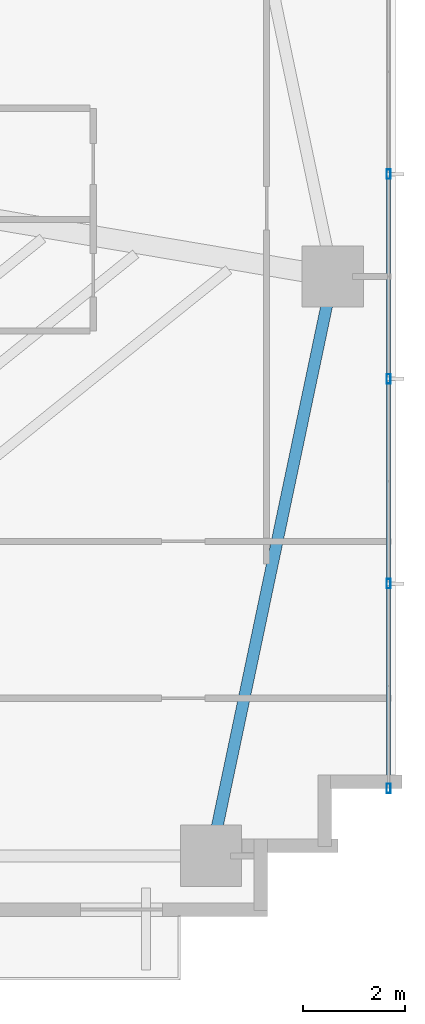
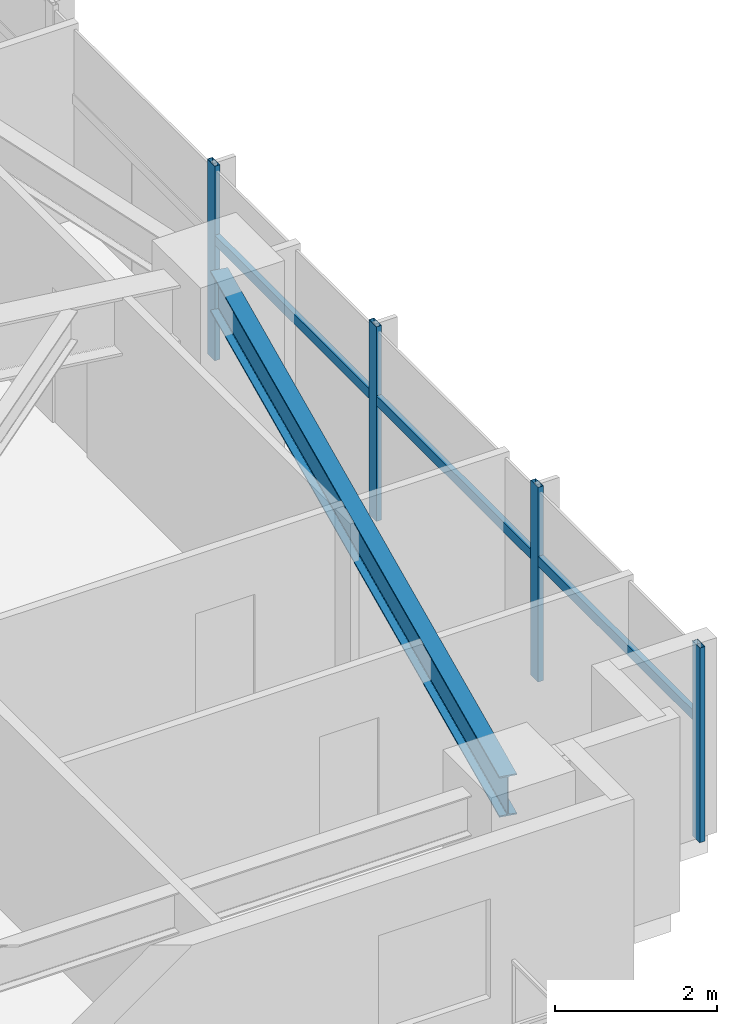
# One storey, part 14 of 25: 7 members, 1 beam, 1 element without a shape of its own.
"""IFC4 building model written with IfcOpenShell, lengths in metres."""

from ifc_helpers import new_model, si_unit, direction, frame, origin, origin_2d, place, context, subcontext, project, spatial, hollow_rectangle, i_section, extrude, source, transform, mapped, material, material_profile, profile_set, type_object, type_shapes, element, aggregate, save


model = new_model("IFC4")

# Units and contexts
model_context = context("Model", 3, precision=1e-05, world=origin(), true_north=direction((0.0, 1.0)))
body_context = subcontext(model_context, "Body", "Model", "MODEL_VIEW")
ifc_project = project(units=[si_unit("LENGTHUNIT", "METRE"), si_unit("AREAUNIT", "SQUARE_METRE"), si_unit("VOLUMEUNIT", "CUBIC_METRE"), si_unit("PLANEANGLEUNIT", "RADIAN"), si_unit("MASSUNIT", "GRAM", prefix="KILO")], contexts=[model_context])

# Site, building, storey
site_placement = place(None, origin())
site = spatial("IfcSite", under=ifc_project, at=site_placement, CompositionType="ELEMENT")
building_placement = place(site_placement, origin())
building = spatial("IfcBuilding", under=site, at=building_placement, Name="Astriad Promenade Condominiums", CompositionType="ELEMENT")
storey_placement = place(building_placement, frame((0.0, 0.0, 55.0)))
storey = spatial("IfcBuildingStorey", under=building, at=storey_placement, Name="L15", CompositionType="ELEMENT", Elevation=55.0)

# Beam
ifc_material_1 = material(Name="Steel ASTM A992 Grade 50", Category="steel")
ifc_material_profile_1 = material_profile(ifc_material_1, i_section(OverallWidth=0.22900390625, OverallDepth=0.612060546875, WebThickness=0.011962890625, FlangeThickness=0.01953125, FilletRadius=0.017822265625, at=origin_2d()), Name="W24X84")
ifc_profile_set_1 = profile_set([ifc_material_profile_1], Name="Steel ASTM A992 Grade 50")
beam_type = type_object("IfcBeamType", Name="STEEL SPANDREL BEAM W24X84", PredefinedType="SPANDREL", material=ifc_profile_set_1)
shared_shape_1 = source(origin(), body_context, "Body", "SweptSolid", [
    extrude(i_section(OverallWidth=0.22900390625, OverallDepth=0.612060546875, WebThickness=0.011962890625, FlangeThickness=0.01953125, FilletRadius=0.017822265625, at=origin_2d()), origin(), (0.0, 0.0, 1.0), 11.487548828125),
])
type_shapes(beam_type, [shared_shape_1])
beam_placement = place(storey_placement, frame((56.208251953125, 3.919189453125, 2.6337890625), z_axis=(0.205748055501, 0.978604995725, 0.0), x_axis=(-0.978604995725, 0.205748055501, 0.0)))
element("IfcBeam", 1, at=beam_placement, inside=storey, type_object=beam_type, Name="Perimeter Spandrel Beam SP-E1-L15", PredefinedType="SPANDREL", context=body_context, shape_type="MappedRepresentation", body=[
    mapped(shared_shape_1, transform((0.0, 0.0, 0.0), scale=1.0)),
])

# Curtain wall, members
ifc_material_2 = material(Name="Anodised aluminium Black Dark Glass Unitised", Category="aluminium")
curtain_wall_type = type_object("IfcCurtainWallType", Name="CW-B1-DARK", PredefinedType="USERDEFINED", material=ifc_material_2)
curtain_wall_placement = place(storey_placement, origin())
curtain_wall = element("IfcCurtainWall", 2, at=curtain_wall_placement, inside=storey, type_object=curtain_wall_type, Name="CW-L15-E", ObjectType="UNITISED_CURTAIN_WALL", PredefinedType="USERDEFINED")
ifc_material_3 = material(Name="Anodised aluminium 6063-T6 Black", Category="aluminium")
ifc_material_profile_2 = material_profile(ifc_material_3, hollow_rectangle(XDim=0.074951171875, YDim=0.18505859375, WallThickness=0.00439453125, at=origin_2d()), Name="ALU-MUL-75X185")
ifc_profile_set_2 = profile_set([ifc_material_profile_2], Name="Anodised aluminium 6063-T6 Black")
member_type_1 = type_object("IfcMemberType", Name="MUL-ALU-MUL-75X185", PredefinedType="MULLION", material=ifc_profile_set_2)
shared_shape_2 = source(origin(), body_context, "Body", "SweptSolid", [
    extrude(hollow_rectangle(XDim=0.074951171875, YDim=0.18505859375, WallThickness=0.00439453125, at=origin_2d()), origin(), (0.0, 0.0, 1.0), 2.93994140625),
])
type_shapes(member_type_1, [shared_shape_2])
member_1_placement = place(storey_placement, frame((59.669921875, 17.199951171875, 0.0), z_axis=(0.0, 0.0, 1.0), x_axis=(1.0, 0.0, 0.0)))
member_1 = element("IfcMember", 3, at=member_1_placement, type_object=member_type_1, Name="CW-L15-E-MUL-02", PredefinedType="MULLION", context=body_context, shape_type="MappedRepresentation", body=[
    mapped(shared_shape_2, transform((0.0, 0.0, 0.0), scale=1.0)),
])
member_2_placement = place(storey_placement, frame((59.669921875, 13.199951171875, 0.0), z_axis=(0.0, 0.0, 1.0), x_axis=(1.0, 0.0, 0.0)))
member_2 = element("IfcMember", 4, at=member_2_placement, type_object=member_type_1, Name="CW-L15-E-MUL-03", PredefinedType="MULLION", context=body_context, shape_type="MappedRepresentation", body=[
    mapped(shared_shape_2, transform((0.0, 0.0, 0.0), scale=1.0)),
])
member_3_placement = place(storey_placement, frame((59.669921875, 9.199951171875, 0.0), z_axis=(0.0, 0.0, 1.0), x_axis=(1.0, 0.0, 0.0)))
member_3 = element("IfcMember", 5, at=member_3_placement, type_object=member_type_1, Name="CW-L15-E-MUL-04", PredefinedType="MULLION", context=body_context, shape_type="MappedRepresentation", body=[
    mapped(shared_shape_2, transform((0.0, 0.0, 0.0), scale=1.0)),
])
member_4_placement = place(storey_placement, frame((59.669921875, 5.199951171875, 0.0), z_axis=(0.0, 0.0, 1.0), x_axis=(1.0, 0.0, 0.0)))
member_4 = element("IfcMember", 6, at=member_4_placement, type_object=member_type_1, Name="CW-L15-E-MUL-05", PredefinedType="MULLION", context=body_context, shape_type="MappedRepresentation", body=[
    mapped(shared_shape_2, transform((0.0, 0.0, 0.0), scale=1.0)),
])
ifc_material_profile_3 = material_profile(ifc_material_3, hollow_rectangle(XDim=0.074951171875, YDim=0.14990234375, WallThickness=0.004150390625, at=origin_2d()), Name="ALU-TRN-75X150")
ifc_profile_set_3 = profile_set([ifc_material_profile_3], Name="Anodised aluminium 6063-T6 Black")
member_type_2 = type_object("IfcMemberType", Name="TRN-ALU-TRN-75X150", PredefinedType="USERDEFINED", material=ifc_profile_set_3)
shared_shape_3 = source(origin(), body_context, "Body", "SweptSolid", [
    extrude(hollow_rectangle(XDim=0.074951171875, YDim=0.14990234375, WallThickness=0.004150390625, at=origin_2d()), origin(), (0.0, 0.0, 1.0), 4.0),
])
type_shapes(member_type_2, [shared_shape_3])
member_5_placement = place(storey_placement, frame((59.669921875, 17.199951171875, 1.82275390625), z_axis=(0.0, -1.0, 0.0), x_axis=(1.0, 0.0, 0.0)))
member_5 = element("IfcMember", 7, at=member_5_placement, type_object=member_type_2, Name="CW-L15-E-TRN-02-0", ObjectType="TRANSOM", PredefinedType="USERDEFINED", context=body_context, shape_type="MappedRepresentation", body=[
    mapped(shared_shape_3, transform((0.0, 0.0, 0.0), scale=1.0)),
])
member_6_placement = place(storey_placement, frame((59.669921875, 13.199951171875, 1.82275390625), z_axis=(0.0, -1.0, 0.0), x_axis=(1.0, 0.0, 0.0)))
member_6 = element("IfcMember", 8, at=member_6_placement, type_object=member_type_2, Name="CW-L15-E-TRN-03-0", ObjectType="TRANSOM", PredefinedType="USERDEFINED", context=body_context, shape_type="MappedRepresentation", body=[
    mapped(shared_shape_3, transform((0.0, 0.0, 0.0), scale=1.0)),
])
member_7_placement = place(storey_placement, frame((59.669921875, 9.199951171875, 1.82275390625), z_axis=(0.0, -1.0, 0.0), x_axis=(1.0, 0.0, 0.0)))
member_7 = element("IfcMember", 9, at=member_7_placement, type_object=member_type_2, Name="CW-L15-E-TRN-04-0", ObjectType="TRANSOM", PredefinedType="USERDEFINED", context=body_context, shape_type="MappedRepresentation", body=[
    mapped(shared_shape_3, transform((0.0, 0.0, 0.0), scale=1.0)),
])
aggregate(curtain_wall, [member_1, member_2, member_3, member_4, member_5, member_6, member_7])

save(model, "model.ifc")
